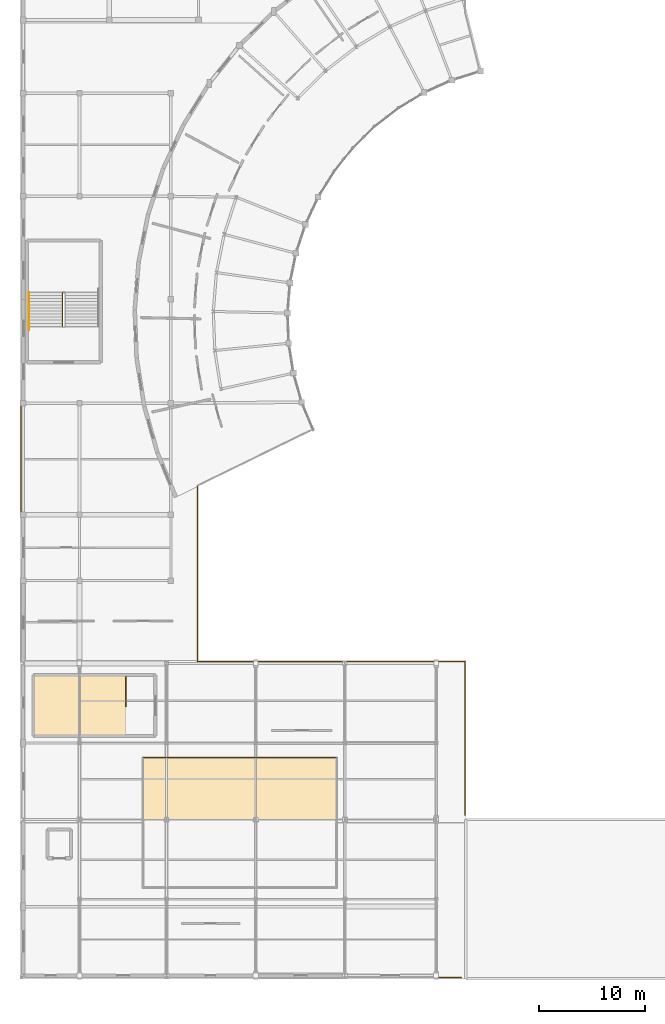
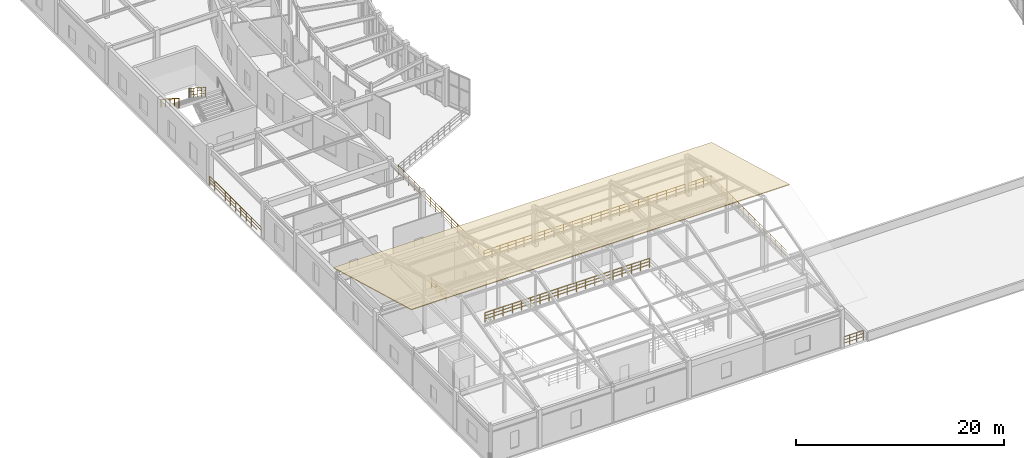
# One storey, part 101 of 112: 11 railings, 1 covering, 1 element without a shape of its own.
"""IFC4 building model written with IfcOpenShell, lengths in metres."""

import ifcopenshell
import ifcopenshell.guid

model = None  # the IFC model being written
_history = None  # IfcOwnerHistory: only IFC2X3 demands one
_inside = {}  # id of a spatial element -> (the spatial element, [elements in it])
_under = {}  # id of a project, library or spatial element -> (it, [spatial elements below it])
_declared = {}  # id of a project -> (the project, [libraries it declares])
_typed = {}  # id of a type object -> (the type object, [elements of that type])
_made_of = {}  # id of a material, layer set ... -> (it, [elements and type objects made of it])


def new_model(schema):
    """Start an empty IFC model of exactly this schema.

    Asked for "IFC4X3", IfcOpenShell would pick the latest addendum, in which some entities
    have other attributes; the version numbers below select the first issue.
    IFC2X3 requires an IfcOwnerHistory on every rooted entity: one is made here for all.
    """
    global model, _history
    if schema == "IFC4X3":
        model = ifcopenshell.file(schema_version=(4, 3, 0, 0))
    else:
        model = ifcopenshell.file(schema=schema)
    _inside.clear()
    _under.clear()
    _declared.clear()
    _typed.clear()
    _made_of.clear()
    _history = None
    if model.schema == "IFC2X3":
        org = make("IfcOrganization", Name="unknown")
        user = make(
            "IfcPersonAndOrganization",
            ThePerson=make("IfcPerson", FamilyName="unknown"),
            TheOrganization=org,
        )
        app = make(
            "IfcApplication",
            ApplicationDeveloper=org,
            Version="unknown",
            ApplicationFullName="unknown",
            ApplicationIdentifier="unknown",
        )
        _history = make(
            "IfcOwnerHistory",
            OwningUser=user,
            OwningApplication=app,
            ChangeAction="ADDED",
            CreationDate=0,
        )
    return model


def make(cls, **values):
    """One entity of the class cls with the attributes given. An attribute that is None is left unset."""
    return model.create_entity(
        cls, **{name: value for name, value in values.items() if value is not None}
    )


def rooted(cls, **values):
    """An entity with a GlobalId (a new one), such as an element, a storey or a relation."""
    return make(cls, GlobalId=ifcopenshell.guid.new(), OwnerHistory=_history, **values)


def si_unit(unit_type, name, prefix=None):
    """IfcSIUnit, for example si_unit("LENGTHUNIT", "METRE", prefix="MILLI")."""
    return make("IfcSIUnit", UnitType=unit_type, Prefix=prefix, Name=name)


def assignment(units):
    """IfcUnitAssignment: the units of a project."""
    return None if units is None else make("IfcUnitAssignment", Units=units)


def point(xyz):
    """IfcCartesianPoint."""
    return None if xyz is None else make("IfcCartesianPoint", Coordinates=xyz)


def direction(xyz):
    """IfcDirection."""
    return None if xyz is None else make("IfcDirection", DirectionRatios=xyz)


def frame(location, z_axis=None, x_axis=None):
    """IfcAxis2Placement3D, a coordinate frame: its origin and axes. An axis left out is left unset."""
    return make(
        "IfcAxis2Placement3D",
        Location=point(location),
        Axis=direction(z_axis),
        RefDirection=direction(x_axis),
    )


def frame_2d(location, x_axis=None):
    """IfcAxis2Placement2D, a coordinate frame in the plane: its origin and x axis."""
    return make(
        "IfcAxis2Placement2D", Location=point(location), RefDirection=direction(x_axis)
    )


def origin():
    """The frame at (0, 0, 0) with its axes left unset."""
    return frame((0.0, 0.0, 0.0))


def origin_2d():
    """The frame at (0, 0) in the plane with its x axis left unset."""
    return frame_2d((0.0, 0.0))


def place(relative_to, where):
    """IfcLocalPlacement: puts the frame where relative to a parent placement (None: the world)."""
    return make(
        "IfcLocalPlacement", PlacementRelTo=relative_to, RelativePlacement=where
    )


def context(
    kind, dimensions, precision=None, world=None, true_north=None, identifier=None
):
    """IfcGeometricRepresentationContext, for example the 3D "Model" context."""
    return make(
        "IfcGeometricRepresentationContext",
        ContextIdentifier=identifier,
        ContextType=kind,
        CoordinateSpaceDimension=dimensions,
        Precision=precision,
        WorldCoordinateSystem=world,
        TrueNorth=true_north,
    )


def subcontext(parent, identifier, kind, view, scale=None):
    """IfcGeometricRepresentationSubContext, for example "Body" below "Model"."""
    return make(
        "IfcGeometricRepresentationSubContext",
        ContextIdentifier=identifier,
        ContextType=kind,
        ParentContext=parent,
        TargetScale=scale,
        TargetView=view,
    )


def project(units=None, contexts=None):
    """IfcProject with its units and contexts."""
    return rooted(
        "IfcProject",
        Name="project",
        RepresentationContexts=contexts,
        UnitsInContext=assignment(units),
    )


def spatial(cls, under=None, at=None, **own):
    """A site, building, storey or space (cls), placed at a placement, below another one or the project."""
    s = rooted(cls, ObjectPlacement=at, **own)
    if under is not None:
        _under.setdefault(under.id(), (under, []))[1].append(s)
    return s


def polyline(points):
    """IfcPolyline through the points."""
    return make("IfcPolyline", Points=[point(p) for p in points])


def profile(cls, at=None, kind="AREA", **sizes):
    """A parametric profile (cls). Its sizes go by their IFC names, for example OverallWidth=200.0."""
    return make(cls, ProfileType=kind, Position=at, **sizes)


def circle(**sizes):
    """IfcCircleProfileDef."""
    return profile("IfcCircleProfileDef", **sizes)


def outline(outer, holes=None, kind="AREA"):
    """IfcArbitraryClosedProfileDef: a profile drawn as a closed curve; with holes, ...WithVoids."""
    if holes is None:
        return make("IfcArbitraryClosedProfileDef", ProfileType=kind, OuterCurve=outer)
    return make(
        "IfcArbitraryProfileDefWithVoids",
        ProfileType=kind,
        OuterCurve=outer,
        InnerCurves=holes,
    )


def extrude(swept, where, along, depth):
    """IfcExtrudedAreaSolid: the profile swept, set in the frame where, extruded along a direction by depth."""
    return make(
        "IfcExtrudedAreaSolid",
        SweptArea=swept,
        Position=where,
        ExtrudedDirection=direction(along),
        Depth=depth,
    )


def shape(context_of_items, identifier, shape_type, items):
    """IfcShapeRepresentation: the items that make up one representation, for example the "Body"."""
    return make(
        "IfcShapeRepresentation",
        ContextOfItems=context_of_items,
        RepresentationIdentifier=identifier,
        RepresentationType=shape_type,
        Items=items,
    )


def material(Name=None, Category=None):
    """IfcMaterial."""
    return make("IfcMaterial", Name=Name, Category=Category)


def layer(
    of_material, thickness, ventilated=None, Name=None, Category=None, Priority=None
):
    """IfcMaterialLayer: one layer of a wall or slab, of a material (None: an air gap)."""
    return make(
        "IfcMaterialLayer",
        Material=of_material,
        LayerThickness=thickness,
        IsVentilated=ventilated,
        Name=Name,
        Category=Category,
        Priority=Priority,
    )


def layer_set(layers, Name=None):
    """IfcMaterialLayerSet."""
    return make("IfcMaterialLayerSet", MaterialLayers=layers, LayerSetName=Name)


def made_of(thing, what):
    """Note that an element or type object is made of a material, layer set ...; save() writes the relation."""
    if what is not None:
        _made_of.setdefault(what.id(), (what, []))[1].append(thing)
    return thing


def type_object(cls, material=None, **own):
    """A type object (cls), such as IfcWallType, which elements share."""
    return made_of(rooted(cls, **own), material)


def element(
    cls,
    number,
    at=None,
    inside=None,
    cuts=None,
    type_object=None,
    material=None,
    context=None,
    identifier="Body",
    shape_type=None,
    held_by="IfcProductDefinitionShape",
    body=None,
    shapes=None,
    **own,
):
    """One element of the class cls, such as IfcWall. Its Tag is "e" and its number.

    at: its placement. inside: the storey or other place that contains it. cuts: it is an
    opening in that element (IfcRelVoidsElement). A single representation is given by context,
    identifier, shape_type and body (its items); several are given by shapes. held_by: the class
    of the entity that holds the representations. save() writes the other relations.
    """
    e = rooted(cls, Tag="e%d" % number, ObjectPlacement=at, **own)
    if body is not None:
        shapes = [shape(context, identifier, shape_type, body)]
    if shapes is not None:
        e.Representation = make(held_by, Representations=shapes)
    if inside is not None:
        _inside.setdefault(inside.id(), (inside, []))[1].append(e)
    if cuts is not None:
        rooted(
            "IfcRelVoidsElement", RelatingBuildingElement=cuts, RelatedOpeningElement=e
        )
    if type_object is not None:
        _typed.setdefault(type_object.id(), (type_object, []))[1].append(e)
    return made_of(e, material)


def aggregate(whole, parts):
    """IfcRelAggregates: a whole, such as a stair, and the parts it consists of."""
    return rooted("IfcRelAggregates", RelatingObject=whole, RelatedObjects=parts)


def save(model, path):
    """Write the relations noted so far, then the file.

    IfcRelAggregates (storeys below a building ...), IfcRelContainedInSpatialStructure (elements
    in a storey), IfcRelDefinesByType, IfcRelAssociatesMaterial and IfcRelDeclares: one each for
    every whole, place, type object, material and project.
    """
    for whole, parts in _under.values():
        aggregate(whole, parts)
    for where, things in _inside.values():
        rooted(
            "IfcRelContainedInSpatialStructure",
            RelatedElements=things,
            RelatingStructure=where,
        )
    for kind, things in _typed.values():
        rooted("IfcRelDefinesByType", RelatedObjects=things, RelatingType=kind)
    for what, things in _made_of.values():
        rooted("IfcRelAssociatesMaterial", RelatedObjects=things, RelatingMaterial=what)
    for by, libraries in _declared.values():
        rooted("IfcRelDeclares", RelatingContext=by, RelatedDefinitions=libraries)
    model.write(path)


model = new_model("IFC4")

# Units and contexts
model_context = context("Model", 3, precision=1e-05, world=origin(), true_north=direction((0.0, 1.0)))
body_context = subcontext(model_context, "Body", "Model", "MODEL_VIEW")
ifc_project = project(units=[si_unit("LENGTHUNIT", "METRE"), si_unit("AREAUNIT", "SQUARE_METRE"), si_unit("VOLUMEUNIT", "CUBIC_METRE"), si_unit("PLANEANGLEUNIT", "RADIAN"), si_unit("MASSUNIT", "GRAM", prefix="KILO")], contexts=[model_context])

# Site, building, storey
site_placement = place(None, origin())
site = spatial("IfcSite", under=ifc_project, at=site_placement, CompositionType="ELEMENT")
building_placement = place(site_placement, origin())
building = spatial("IfcBuilding", under=site, at=building_placement, Name="Cinderbank Siding Concert Hall", CompositionType="ELEMENT")
storey_placement = place(building_placement, frame((0.0, 0.0, 10.199951171875)))
storey = spatial("IfcBuildingStorey", under=building, at=storey_placement, Name="L03", CompositionType="ELEMENT", Elevation=10.199951171875)

# Railings
ifc_material_1 = material(Name="Spotted gum glulam timber GL18 (42 MPa)", Category="wood")
railing_type_1 = type_object("IfcRailingType", Name="BAL-01 Auditorium Tier Balustrade 1120mm", PredefinedType="BALUSTRADE", material=ifc_material_1)
railing_1_placement = place(storey_placement, frame((36.64990234375, 26.64990234375, 0.0)))
element("IfcRailing", 1, at=railing_1_placement, inside=storey, type_object=railing_type_1, Name="L03 CH Gallery Balustrade 2", PredefinedType="BALUSTRADE", context=body_context, shape_type="SweptSolid", body=[
    extrude(circle(Radius=0.02392578125, at=origin_2d()), frame((0.0, 0.0, 1.09619140625), z_axis=(-1.0, 0.0, 0.0), x_axis=(0.0, -1.0, 0.0)), (0.0, 0.0, 1.0), 18.2998046875),
    extrude(circle(Radius=0.01611328125, at=origin_2d()), frame((0.0, 0.0, 0.36962890625), z_axis=(-1.0, 0.0, 0.0), x_axis=(0.0, -1.0, 0.0)), (0.0, 0.0, 1.0), 18.2998046875),
    extrude(circle(Radius=0.01611328125, at=origin_2d()), frame((0.0, 0.0, 0.7392578125), z_axis=(-1.0, 0.0, 0.0), x_axis=(0.0, -1.0, 0.0)), (0.0, 0.0, 1.0), 18.2998046875),
    extrude(circle(Radius=0.02099609375, at=origin_2d()), origin(), (0.0, 0.0, 1.0), 1.072021484375),
    extrude(circle(Radius=0.02099609375, at=origin_2d()), frame((-1.0166015625, 0.0, 0.0)), (0.0, 0.0, 1.0), 1.072021484375),
    extrude(circle(Radius=0.02099609375, at=origin_2d()), frame((-2.033203125, 0.0, 0.0)), (0.0, 0.0, 1.0), 1.072021484375),
    extrude(circle(Radius=0.02099609375, at=origin_2d()), frame((-3.050048828125, 0.0, 0.0)), (0.0, 0.0, 1.0), 1.072021484375),
    extrude(circle(Radius=0.02099609375, at=origin_2d()), frame((-4.066650390625, 0.0, 0.0)), (0.0, 0.0, 1.0), 1.072021484375),
    extrude(circle(Radius=0.02099609375, at=origin_2d()), frame((-5.083251953125, 0.0, 0.0)), (0.0, 0.0, 1.0), 1.072021484375),
    extrude(circle(Radius=0.02099609375, at=origin_2d()), frame((-6.099853515625, 0.0, 0.0)), (0.0, 0.0, 1.0), 1.072021484375),
    extrude(circle(Radius=0.02099609375, at=origin_2d()), frame((-7.11669921875, 0.0, 0.0)), (0.0, 0.0, 1.0), 1.072021484375),
    extrude(circle(Radius=0.02099609375, at=origin_2d()), frame((-8.13330078125, 0.0, 0.0)), (0.0, 0.0, 1.0), 1.072021484375),
    extrude(circle(Radius=0.02099609375, at=origin_2d()), frame((-9.14990234375, 0.0, 0.0)), (0.0, 0.0, 1.0), 1.072021484375),
    extrude(circle(Radius=0.02099609375, at=origin_2d()), frame((-10.16650390625, 0.0, 0.0)), (0.0, 0.0, 1.0), 1.072021484375),
    extrude(circle(Radius=0.02099609375, at=origin_2d()), frame((-11.18310546875, 0.0, 0.0)), (0.0, 0.0, 1.0), 1.072021484375),
    extrude(circle(Radius=0.02099609375, at=origin_2d()), frame((-12.199951171875, 0.0, 0.0)), (0.0, 0.0, 1.0), 1.072021484375),
    extrude(circle(Radius=0.02099609375, at=origin_2d()), frame((-13.216552734375, 0.0, 0.0)), (0.0, 0.0, 1.0), 1.072021484375),
    extrude(circle(Radius=0.02099609375, at=origin_2d()), frame((-14.233154296875, 0.0, 0.0)), (0.0, 0.0, 1.0), 1.072021484375),
    extrude(circle(Radius=0.02099609375, at=origin_2d()), frame((-15.249755859375, 0.0, 0.0)), (0.0, 0.0, 1.0), 1.072021484375),
    extrude(circle(Radius=0.02099609375, at=origin_2d()), frame((-16.2666015625, 0.0, 0.0)), (0.0, 0.0, 1.0), 1.072021484375),
    extrude(circle(Radius=0.02099609375, at=origin_2d()), frame((-17.283203125, 0.0, 0.0)), (0.0, 0.0, 1.0), 1.072021484375),
    extrude(circle(Radius=0.02099609375, at=origin_2d()), frame((-18.2998046875, 0.0, 0.0)), (0.0, 0.0, 1.0), 1.072021484375),
])
ifc_material_2 = material(Name="Structural steel AS/NZS 3679.1 Grade 350 (340 MPa)", Category="steel")
railing_type_2 = type_object("IfcRailingType", Name="GD-01 Terrace & Perimeter Guardrail 1120mm", PredefinedType="GUARDRAIL", material=ifc_material_2)
railing_2_placement = place(storey_placement, frame((23.5, 52.260009765625, 0.0)))
element("IfcRailing", 2, at=railing_2_placement, inside=storey, type_object=railing_type_2, Name="L03 Perimeter Guardrail #74", PredefinedType="GUARDRAIL", context=body_context, shape_type="SweptSolid", body=[
    extrude(circle(Radius=0.02392578125, at=origin_2d()), frame((0.0, 0.0, 1.09619140625), z_axis=(0.0, -1.0, 0.0), x_axis=(1.0, 0.0, 0.0)), (0.0, 0.0, 1.0), 16.56005859375),
    extrude(circle(Radius=0.01611328125, at=origin_2d()), frame((0.0, 0.0, 0.36962890625), z_axis=(0.0, -1.0, 0.0), x_axis=(1.0, 0.0, 0.0)), (0.0, 0.0, 1.0), 16.56005859375),
    extrude(circle(Radius=0.01611328125, at=origin_2d()), frame((0.0, 0.0, 0.7392578125), z_axis=(0.0, -1.0, 0.0), x_axis=(1.0, 0.0, 0.0)), (0.0, 0.0, 1.0), 16.56005859375),
    extrude(circle(Radius=0.02099609375, at=origin_2d()), origin(), (0.0, 0.0, 1.0), 1.072021484375),
    extrude(circle(Radius=0.02099609375, at=origin_2d()), frame((0.0, -1.034912109375, 0.0)), (0.0, 0.0, 1.0), 1.072021484375),
    extrude(circle(Radius=0.02099609375, at=origin_2d()), frame((0.0, -2.070068359375, 0.0)), (0.0, 0.0, 1.0), 1.072021484375),
    extrude(circle(Radius=0.02099609375, at=origin_2d()), frame((0.0, -3.10498046875, 0.0)), (0.0, 0.0, 1.0), 1.072021484375),
    extrude(circle(Radius=0.02099609375, at=origin_2d()), frame((0.0, -4.14013671875, 0.0)), (0.0, 0.0, 1.0), 1.072021484375),
    extrude(circle(Radius=0.02099609375, at=origin_2d()), frame((0.0, -5.175048828125, 0.0)), (0.0, 0.0, 1.0), 1.072021484375),
    extrude(circle(Radius=0.02099609375, at=origin_2d()), frame((0.0, -6.2099609375, 0.0)), (0.0, 0.0, 1.0), 1.072021484375),
    extrude(circle(Radius=0.02099609375, at=origin_2d()), frame((0.0, -7.2451171875, 0.0)), (0.0, 0.0, 1.0), 1.072021484375),
    extrude(circle(Radius=0.02099609375, at=origin_2d()), frame((0.0, -8.280029296875, 0.0)), (0.0, 0.0, 1.0), 1.072021484375),
    extrude(circle(Radius=0.02099609375, at=origin_2d()), frame((0.0, -9.31494140625, 0.0)), (0.0, 0.0, 1.0), 1.072021484375),
    extrude(circle(Radius=0.02099609375, at=origin_2d()), frame((0.0, -10.35009765625, 0.0)), (0.0, 0.0, 1.0), 1.072021484375),
    extrude(circle(Radius=0.02099609375, at=origin_2d()), frame((0.0, -11.385009765625, 0.0)), (0.0, 0.0, 1.0), 1.072021484375),
    extrude(circle(Radius=0.02099609375, at=origin_2d()), frame((0.0, -12.419921875, 0.0)), (0.0, 0.0, 1.0), 1.072021484375),
    extrude(circle(Radius=0.02099609375, at=origin_2d()), frame((0.0, -13.455078125, 0.0)), (0.0, 0.0, 1.0), 1.072021484375),
    extrude(circle(Radius=0.02099609375, at=origin_2d()), frame((0.0, -14.489990234375, 0.0)), (0.0, 0.0, 1.0), 1.072021484375),
    extrude(circle(Radius=0.02099609375, at=origin_2d()), frame((0.0, -15.525146484375, 0.0)), (0.0, 0.0, 1.0), 1.072021484375),
    extrude(circle(Radius=0.02099609375, at=origin_2d()), frame((0.0, -16.56005859375, 0.0)), (0.0, 0.0, 1.0), 1.072021484375),
])
railing_3_placement = place(storey_placement, frame((23.5, 35.699951171875, 0.0)))
element("IfcRailing", 3, at=railing_3_placement, inside=storey, type_object=railing_type_2, Name="L03 Perimeter Guardrail #75", PredefinedType="GUARDRAIL", context=body_context, shape_type="SweptSolid", body=[
    extrude(circle(Radius=0.02392578125, at=origin_2d()), frame((0.0, 0.0, 1.09619140625), z_axis=(1.0, 0.0, 0.0), x_axis=(0.0, 1.0, 0.0)), (0.0, 0.0, 1.0), 5.333984375),
    extrude(circle(Radius=0.01611328125, at=origin_2d()), frame((0.0, 0.0, 0.36962890625), z_axis=(1.0, 0.0, 0.0), x_axis=(0.0, 1.0, 0.0)), (0.0, 0.0, 1.0), 5.333984375),
    extrude(circle(Radius=0.01611328125, at=origin_2d()), frame((0.0, 0.0, 0.7392578125), z_axis=(1.0, 0.0, 0.0), x_axis=(0.0, 1.0, 0.0)), (0.0, 0.0, 1.0), 5.333984375),
    extrude(circle(Radius=0.02099609375, at=origin_2d()), origin(), (0.0, 0.0, 1.0), 1.072021484375),
    extrude(circle(Radius=0.02099609375, at=origin_2d()), frame((0.888916015625, 0.0, 0.0)), (0.0, 0.0, 1.0), 1.072021484375),
    extrude(circle(Radius=0.02099609375, at=origin_2d()), frame((1.778076171875, 0.0, 0.0)), (0.0, 0.0, 1.0), 1.072021484375),
    extrude(circle(Radius=0.02099609375, at=origin_2d()), frame((2.6669921875, 0.0, 0.0)), (0.0, 0.0, 1.0), 1.072021484375),
    extrude(circle(Radius=0.02099609375, at=origin_2d()), frame((3.555908203125, 0.0, 0.0)), (0.0, 0.0, 1.0), 1.072021484375),
    extrude(circle(Radius=0.02099609375, at=origin_2d()), frame((4.445068359375, 0.0, 0.0)), (0.0, 0.0, 1.0), 1.072021484375),
    extrude(circle(Radius=0.02099609375, at=origin_2d()), frame((5.333984375, 0.0, 0.0)), (0.0, 0.0, 1.0), 1.072021484375),
])
railing_4_placement = place(storey_placement, frame((29.166015625, 35.699951171875, 0.0)))
element("IfcRailing", 4, at=railing_4_placement, inside=storey, type_object=railing_type_2, Name="L03 Perimeter Guardrail #76", PredefinedType="GUARDRAIL", context=body_context, shape_type="SweptSolid", body=[
    extrude(circle(Radius=0.02392578125, at=origin_2d()), frame((0.0, 0.0, 1.09619140625), z_axis=(1.0, 0.0, 0.0), x_axis=(0.0, 1.0, 0.0)), (0.0, 0.0, 1.0), 16.66796875),
    extrude(circle(Radius=0.01611328125, at=origin_2d()), frame((0.0, 0.0, 0.36962890625), z_axis=(1.0, 0.0, 0.0), x_axis=(0.0, 1.0, 0.0)), (0.0, 0.0, 1.0), 16.66796875),
    extrude(circle(Radius=0.01611328125, at=origin_2d()), frame((0.0, 0.0, 0.7392578125), z_axis=(1.0, 0.0, 0.0), x_axis=(0.0, 1.0, 0.0)), (0.0, 0.0, 1.0), 16.66796875),
    extrude(circle(Radius=0.02099609375, at=origin_2d()), origin(), (0.0, 0.0, 1.0), 1.072021484375),
    extrude(circle(Radius=0.02099609375, at=origin_2d()), frame((1.041748046875, 0.0, 0.0)), (0.0, 0.0, 1.0), 1.072021484375),
    extrude(circle(Radius=0.02099609375, at=origin_2d()), frame((2.08349609375, 0.0, 0.0)), (0.0, 0.0, 1.0), 1.072021484375),
    extrude(circle(Radius=0.02099609375, at=origin_2d()), frame((3.125244140625, 0.0, 0.0)), (0.0, 0.0, 1.0), 1.072021484375),
    extrude(circle(Radius=0.02099609375, at=origin_2d()), frame((4.1669921875, 0.0, 0.0)), (0.0, 0.0, 1.0), 1.072021484375),
    extrude(circle(Radius=0.02099609375, at=origin_2d()), frame((5.208740234375, 0.0, 0.0)), (0.0, 0.0, 1.0), 1.072021484375),
    extrude(circle(Radius=0.02099609375, at=origin_2d()), frame((6.25048828125, 0.0, 0.0)), (0.0, 0.0, 1.0), 1.072021484375),
    extrude(circle(Radius=0.02099609375, at=origin_2d()), frame((7.292236328125, 0.0, 0.0)), (0.0, 0.0, 1.0), 1.072021484375),
    extrude(circle(Radius=0.02099609375, at=origin_2d()), frame((8.333984375, 0.0, 0.0)), (0.0, 0.0, 1.0), 1.072021484375),
    extrude(circle(Radius=0.02099609375, at=origin_2d()), frame((9.375732421875, 0.0, 0.0)), (0.0, 0.0, 1.0), 1.072021484375),
    extrude(circle(Radius=0.02099609375, at=origin_2d()), frame((10.41748046875, 0.0, 0.0)), (0.0, 0.0, 1.0), 1.072021484375),
    extrude(circle(Radius=0.02099609375, at=origin_2d()), frame((11.459228515625, 0.0, 0.0)), (0.0, 0.0, 1.0), 1.072021484375),
    extrude(circle(Radius=0.02099609375, at=origin_2d()), frame((12.5009765625, 0.0, 0.0)), (0.0, 0.0, 1.0), 1.072021484375),
    extrude(circle(Radius=0.02099609375, at=origin_2d()), frame((13.542724609375, 0.0, 0.0)), (0.0, 0.0, 1.0), 1.072021484375),
    extrude(circle(Radius=0.02099609375, at=origin_2d()), frame((14.58447265625, 0.0, 0.0)), (0.0, 0.0, 1.0), 1.072021484375),
    extrude(circle(Radius=0.02099609375, at=origin_2d()), frame((15.626220703125, 0.0, 0.0)), (0.0, 0.0, 1.0), 1.072021484375),
    extrude(circle(Radius=0.02099609375, at=origin_2d()), frame((16.66796875, 0.0, 0.0)), (0.0, 0.0, 1.0), 1.072021484375),
])
railing_5_placement = place(storey_placement, frame((46.166015625, 35.699951171875, 0.0)))
element("IfcRailing", 5, at=railing_5_placement, inside=storey, type_object=railing_type_2, Name="L03 Perimeter Guardrail #77", PredefinedType="GUARDRAIL", context=body_context, shape_type="SweptSolid", body=[
    extrude(circle(Radius=0.02392578125, at=origin_2d()), frame((0.0, 0.0, 1.09619140625), z_axis=(1.0, 0.0, 0.0), x_axis=(0.0, 1.0, 0.0)), (0.0, 0.0, 1.0), 2.533935546875),
    extrude(circle(Radius=0.01611328125, at=origin_2d()), frame((0.0, 0.0, 0.36962890625), z_axis=(1.0, 0.0, 0.0), x_axis=(0.0, 1.0, 0.0)), (0.0, 0.0, 1.0), 2.533935546875),
    extrude(circle(Radius=0.01611328125, at=origin_2d()), frame((0.0, 0.0, 0.7392578125), z_axis=(1.0, 0.0, 0.0), x_axis=(0.0, 1.0, 0.0)), (0.0, 0.0, 1.0), 2.533935546875),
    extrude(circle(Radius=0.02099609375, at=origin_2d()), origin(), (0.0, 0.0, 1.0), 1.072021484375),
    extrude(circle(Radius=0.02099609375, at=origin_2d()), frame((0.8447265625, 0.0, 0.0)), (0.0, 0.0, 1.0), 1.072021484375),
    extrude(circle(Radius=0.02099609375, at=origin_2d()), frame((1.689208984375, 0.0, 0.0)), (0.0, 0.0, 1.0), 1.072021484375),
    extrude(circle(Radius=0.02099609375, at=origin_2d()), frame((2.533935546875, 0.0, 0.0)), (0.0, 0.0, 1.0), 1.072021484375),
])
railing_6_placement = place(storey_placement, frame((48.699951171875, 35.699951171875, 0.0)))
element("IfcRailing", 6, at=railing_6_placement, inside=storey, type_object=railing_type_2, Name="L03 Perimeter Guardrail #78", PredefinedType="GUARDRAIL", context=body_context, shape_type="SweptSolid", body=[
    extrude(circle(Radius=0.02392578125, at=origin_2d()), frame((0.0, 0.0, 1.09619140625), z_axis=(0.0, -1.0, 0.0), x_axis=(1.0, 0.0, 0.0)), (0.0, 0.0, 1.0), 14.492431640625),
    extrude(circle(Radius=0.01611328125, at=origin_2d()), frame((0.0, 0.0, 0.36962890625), z_axis=(0.0, -1.0, 0.0), x_axis=(1.0, 0.0, 0.0)), (0.0, 0.0, 1.0), 14.492431640625),
    extrude(circle(Radius=0.01611328125, at=origin_2d()), frame((0.0, 0.0, 0.7392578125), z_axis=(0.0, -1.0, 0.0), x_axis=(1.0, 0.0, 0.0)), (0.0, 0.0, 1.0), 14.492431640625),
    extrude(circle(Radius=0.02099609375, at=origin_2d()), origin(), (0.0, 0.0, 1.0), 1.072021484375),
    extrude(circle(Radius=0.02099609375, at=origin_2d()), frame((0.0, -1.03515625, 0.0)), (0.0, 0.0, 1.0), 1.072021484375),
    extrude(circle(Radius=0.02099609375, at=origin_2d()), frame((0.0, -2.0703125, 0.0)), (0.0, 0.0, 1.0), 1.072021484375),
    extrude(circle(Radius=0.02099609375, at=origin_2d()), frame((0.0, -3.10546875, 0.0)), (0.0, 0.0, 1.0), 1.072021484375),
    extrude(circle(Radius=0.02099609375, at=origin_2d()), frame((0.0, -4.140625, 0.0)), (0.0, 0.0, 1.0), 1.072021484375),
    extrude(circle(Radius=0.02099609375, at=origin_2d()), frame((0.0, -5.17578125, 0.0)), (0.0, 0.0, 1.0), 1.072021484375),
    extrude(circle(Radius=0.02099609375, at=origin_2d()), frame((0.0, -6.2109375, 0.0)), (0.0, 0.0, 1.0), 1.072021484375),
    extrude(circle(Radius=0.02099609375, at=origin_2d()), frame((0.0, -7.24609375, 0.0)), (0.0, 0.0, 1.0), 1.072021484375),
    extrude(circle(Radius=0.02099609375, at=origin_2d()), frame((0.0, -8.281494140625, 0.0)), (0.0, 0.0, 1.0), 1.072021484375),
    extrude(circle(Radius=0.02099609375, at=origin_2d()), frame((0.0, -9.316650390625, 0.0)), (0.0, 0.0, 1.0), 1.072021484375),
    extrude(circle(Radius=0.02099609375, at=origin_2d()), frame((0.0, -10.351806640625, 0.0)), (0.0, 0.0, 1.0), 1.072021484375),
    extrude(circle(Radius=0.02099609375, at=origin_2d()), frame((0.0, -11.386962890625, 0.0)), (0.0, 0.0, 1.0), 1.072021484375),
    extrude(circle(Radius=0.02099609375, at=origin_2d()), frame((0.0, -12.422119140625, 0.0)), (0.0, 0.0, 1.0), 1.072021484375),
    extrude(circle(Radius=0.02099609375, at=origin_2d()), frame((0.0, -13.457275390625, 0.0)), (0.0, 0.0, 1.0), 1.072021484375),
    extrude(circle(Radius=0.02099609375, at=origin_2d()), frame((0.0, -14.492431640625, 0.0)), (0.0, 0.0, 1.0), 1.072021484375),
])
railing_7_placement = place(storey_placement, frame((48.3798828125, 5.89990234375, 0.0)))
element("IfcRailing", 7, at=railing_7_placement, inside=storey, type_object=railing_type_2, Name="L03 Perimeter Guardrail #79", PredefinedType="GUARDRAIL", context=body_context, shape_type="SweptSolid", body=[
    extrude(circle(Radius=0.02392578125, at=origin_2d()), frame((0.0, 0.0, 1.09619140625), z_axis=(-1.0, 0.0, 0.0), x_axis=(0.0, -1.0, 0.0)), (0.0, 0.0, 1.0), 2.2138671875),
    extrude(circle(Radius=0.01611328125, at=origin_2d()), frame((0.0, 0.0, 0.36962890625), z_axis=(-1.0, 0.0, 0.0), x_axis=(0.0, -1.0, 0.0)), (0.0, 0.0, 1.0), 2.2138671875),
    extrude(circle(Radius=0.01611328125, at=origin_2d()), frame((0.0, 0.0, 0.7392578125), z_axis=(-1.0, 0.0, 0.0), x_axis=(0.0, -1.0, 0.0)), (0.0, 0.0, 1.0), 2.2138671875),
    extrude(circle(Radius=0.02099609375, at=origin_2d()), origin(), (0.0, 0.0, 1.0), 1.072021484375),
    extrude(circle(Radius=0.02099609375, at=origin_2d()), frame((-0.738037109375, 0.0, 0.0)), (0.0, 0.0, 1.0), 1.072021484375),
    extrude(circle(Radius=0.02099609375, at=origin_2d()), frame((-1.475830078125, 0.0, 0.0)), (0.0, 0.0, 1.0), 1.072021484375),
    extrude(circle(Radius=0.02099609375, at=origin_2d()), frame((-2.2138671875, 0.0, 0.0)), (0.0, 0.0, 1.0), 1.072021484375),
])
railing_8_placement = place(storey_placement, frame((6.89990234375, 49.736572265625, 0.0)))
element("IfcRailing", 8, at=railing_8_placement, inside=storey, type_object=railing_type_2, Name="L03 Perimeter Guardrail #82", PredefinedType="GUARDRAIL", context=body_context, shape_type="SweptSolid", body=[
    extrude(circle(Radius=0.02392578125, at=origin_2d()), frame((0.0, 0.0, 1.09619140625), z_axis=(0.0, 1.0, 0.0), x_axis=(-1.0, 0.0, 0.0)), (0.0, 0.0, 1.0), 10.02685546875),
    extrude(circle(Radius=0.01611328125, at=origin_2d()), frame((0.0, 0.0, 0.36962890625), z_axis=(0.0, 1.0, 0.0), x_axis=(-1.0, 0.0, 0.0)), (0.0, 0.0, 1.0), 10.02685546875),
    extrude(circle(Radius=0.01611328125, at=origin_2d()), frame((0.0, 0.0, 0.7392578125), z_axis=(0.0, 1.0, 0.0), x_axis=(-1.0, 0.0, 0.0)), (0.0, 0.0, 1.0), 10.02685546875),
    extrude(circle(Radius=0.02099609375, at=origin_2d()), origin(), (0.0, 0.0, 1.0), 1.072021484375),
    extrude(circle(Radius=0.02099609375, at=origin_2d()), frame((0.0, 1.002685546875, 0.0)), (0.0, 0.0, 1.0), 1.072021484375),
    extrude(circle(Radius=0.02099609375, at=origin_2d()), frame((0.0, 2.00537109375, 0.0)), (0.0, 0.0, 1.0), 1.072021484375),
    extrude(circle(Radius=0.02099609375, at=origin_2d()), frame((0.0, 3.008056640625, 0.0)), (0.0, 0.0, 1.0), 1.072021484375),
    extrude(circle(Radius=0.02099609375, at=origin_2d()), frame((0.0, 4.0107421875, 0.0)), (0.0, 0.0, 1.0), 1.072021484375),
    extrude(circle(Radius=0.02099609375, at=origin_2d()), frame((0.0, 5.013427734375, 0.0)), (0.0, 0.0, 1.0), 1.072021484375),
    extrude(circle(Radius=0.02099609375, at=origin_2d()), frame((0.0, 6.01611328125, 0.0)), (0.0, 0.0, 1.0), 1.072021484375),
    extrude(circle(Radius=0.02099609375, at=origin_2d()), frame((0.0, 7.018798828125, 0.0)), (0.0, 0.0, 1.0), 1.072021484375),
    extrude(circle(Radius=0.02099609375, at=origin_2d()), frame((0.0, 8.021484375, 0.0)), (0.0, 0.0, 1.0), 1.072021484375),
    extrude(circle(Radius=0.02099609375, at=origin_2d()), frame((0.0, 9.024169921875, 0.0)), (0.0, 0.0, 1.0), 1.072021484375),
    extrude(circle(Radius=0.02099609375, at=origin_2d()), frame((0.0, 10.02685546875, 0.0)), (0.0, 0.0, 1.0), 1.072021484375),
])

# Roof, covering
ifc_material_3 = material(Name="Patinated sheet copper roofing", Category="metal")
roof_type = type_object("IfcRoofType", Name="RF-GB1 Chamber Pitched Copper Roof", PredefinedType="GABLE_ROOF", material=ifc_material_3)
roof_placement = place(storey_placement, origin())
roof = element("IfcRoof", 9, at=roof_placement, inside=storey, type_object=roof_type, Name="Chamber Music Hall Pitched Copper Roof", PredefinedType="GABLE_ROOF")
ifc_layer = layer(ifc_material_3, 0.080078125)
ifc_layer_set = layer_set([ifc_layer], Name="Patinated sheet copper roofing")
covering_type = type_object("IfcCoveringType", Name="RC-01 Standing Seam Copper Roofing", PredefinedType="ROOFING", material=ifc_layer_set)
covering_placement = place(storey_placement, frame((6.800048828125, 20.800048828125, 9.080078125), z_axis=(0.0, 0.267240997782, 0.963629726142), x_axis=(1.0, 0.0, 0.0)))
covering = element("IfcCovering", 10, at=covering_placement, type_object=covering_type, Name="Chamber Pitched Copper Slope N", PredefinedType="ROOFING", context=body_context, shape_type="SweptSolid", body=[
    extrude(outline(polyline([(0.0, 0.0), (42.0, 0.0), (42.0, 15.566144954924606), (0.0, 15.566144954924606), (0.0, 0.0)])), origin(), (0.0, 0.0, -1.0), 0.080078125),
])
aggregate(roof, [covering])

# Railings
railing_type_3 = type_object("IfcRailingType", Name="STG-01 Stair Well Guardrail 1120mm", PredefinedType="GUARDRAIL", material=ifc_material_2)
railing_9_placement = place(storey_placement, frame((16.800048828125, 34.260009765625, 0.0)))
element("IfcRailing", 11, at=railing_9_placement, inside=storey, type_object=railing_type_3, Name="L03 ST-06 top well guard 1", PredefinedType="GUARDRAIL", context=body_context, shape_type="SweptSolid", body=[
    extrude(circle(Radius=0.02392578125, at=origin_2d()), frame((0.0, 0.0, 1.09619140625), z_axis=(0.0, -1.0, 0.0), x_axis=(1.0, 0.0, 0.0)), (0.0, 0.0, 1.0), 2.81005859375),
    extrude(circle(Radius=0.01611328125, at=origin_2d()), frame((0.0, 0.0, 0.36962890625), z_axis=(0.0, -1.0, 0.0), x_axis=(1.0, 0.0, 0.0)), (0.0, 0.0, 1.0), 2.81005859375),
    extrude(circle(Radius=0.01611328125, at=origin_2d()), frame((0.0, 0.0, 0.7392578125), z_axis=(0.0, -1.0, 0.0), x_axis=(1.0, 0.0, 0.0)), (0.0, 0.0, 1.0), 2.81005859375),
    extrude(circle(Radius=0.02099609375, at=origin_2d()), origin(), (0.0, 0.0, 1.0), 1.072021484375),
    extrude(circle(Radius=0.02099609375, at=origin_2d()), frame((0.0, -0.936767578125, 0.0)), (0.0, 0.0, 1.0), 1.072021484375),
    extrude(circle(Radius=0.02099609375, at=origin_2d()), frame((0.0, -1.873291015625, 0.0)), (0.0, 0.0, 1.0), 1.072021484375),
    extrude(circle(Radius=0.02099609375, at=origin_2d()), frame((0.0, -2.81005859375, 0.0)), (0.0, 0.0, 1.0), 1.072021484375),
])
railing_10_placement = place(storey_placement, frame((10.800048828125, 70.43994140625, 2.4375)))
element("IfcRailing", 12, at=railing_10_placement, inside=storey, type_object=railing_type_3, Name="L03 ST-09 stair guard 3", PredefinedType="GUARDRAIL", context=body_context, shape_type="SweptSolid", body=[
    extrude(circle(Radius=0.02392578125, at=origin_2d()), frame((0.0, 0.0, 1.09619140625), z_axis=(0.0, -0.839759782654, 0.542958108362), x_axis=(1.0, 0.0, 0.0)), (0.0, 0.0, 1.0), 3.798583984375),
    extrude(circle(Radius=0.01611328125, at=origin_2d()), frame((0.0, 0.0, 0.36962890625), z_axis=(0.0, -0.839759782654, 0.542958108362), x_axis=(1.0, 0.0, 0.0)), (0.0, 0.0, 1.0), 3.798583984375),
    extrude(circle(Radius=0.01611328125, at=origin_2d()), frame((0.0, 0.0, 0.7392578125), z_axis=(0.0, -0.839759782654, 0.542958108362), x_axis=(1.0, 0.0, 0.0)), (0.0, 0.0, 1.0), 3.798583984375),
    extrude(circle(Radius=0.02099609375, at=origin_2d()), origin(), (0.0, 0.0, 1.0), 1.072021484375),
    extrude(circle(Radius=0.02099609375, at=origin_2d()), frame((0.0, -0.79736328125, 0.515625)), (0.0, 0.0, 1.0), 1.072021484375),
    extrude(circle(Radius=0.02099609375, at=origin_2d()), frame((0.0, -1.594970703125, 1.03125)), (0.0, 0.0, 1.0), 1.072021484375),
    extrude(circle(Radius=0.02099609375, at=origin_2d()), frame((0.0, -2.392578125, 1.546875)), (0.0, 0.0, 1.0), 1.072021484375),
    extrude(circle(Radius=0.02099609375, at=origin_2d()), frame((0.0, -3.18994140625, 2.0625)), (0.0, 0.0, 1.0), 1.072021484375),
])
railing_type_4 = type_object("IfcRailingType", Name="STH-01 Stair Pitch Handrail 920mm", PredefinedType="HANDRAIL", material=ifc_material_2)
railing_11_placement = place(storey_placement, frame((7.64990234375, 70.43994140625, 2.4375)))
element("IfcRailing", 13, at=railing_11_placement, inside=storey, type_object=railing_type_4, Name="L03 ST-09 stair handrail 2", PredefinedType="HANDRAIL", context=body_context, shape_type="SweptSolid", body=[
    extrude(circle(Radius=0.02392578125, at=origin_2d()), frame((0.0, 0.0, 0.89599609375), z_axis=(0.0, -0.839762940478, 0.542953224319), x_axis=(1.0, 0.0, 0.0)), (0.0, 0.0, 1.0), 4.14404296875),
    extrude(circle(Radius=0.02392578125, at=origin_2d()), frame((0.0, -3.47998046875, 3.14599609375), z_axis=(0.0, -1.0, 0.0), x_axis=(1.0, 0.0, 0.0)), (0.0, 0.0, 1.0), 0.06005859375),
    extrude(circle(Radius=0.02099609375, at=origin_2d()), origin(), (0.0, 0.0, 1.0), 0.871826171875),
    extrude(circle(Radius=0.02099609375, at=origin_2d()), frame((0.0, -0.8701171875, 0.5625)), (0.0, 0.0, 1.0), 0.871826171875),
    extrude(circle(Radius=0.02099609375, at=origin_2d()), frame((0.0, -1.739990234375, 1.125)), (0.0, 0.0, 1.0), 0.871826171875),
    extrude(circle(Radius=0.02099609375, at=origin_2d()), frame((0.0, -2.60986328125, 1.6875)), (0.0, 0.0, 1.0), 0.871826171875),
    extrude(circle(Radius=0.02099609375, at=origin_2d()), frame((0.0, -3.47998046875, 2.25)), (0.0, 0.0, 1.0), 0.871826171875),
    extrude(circle(Radius=0.02099609375, at=origin_2d()), frame((0.0, -3.5400390625, 2.0625)), (0.0, 0.0, 1.0), 1.059326171875),
])

save(model, "model.ifc")
